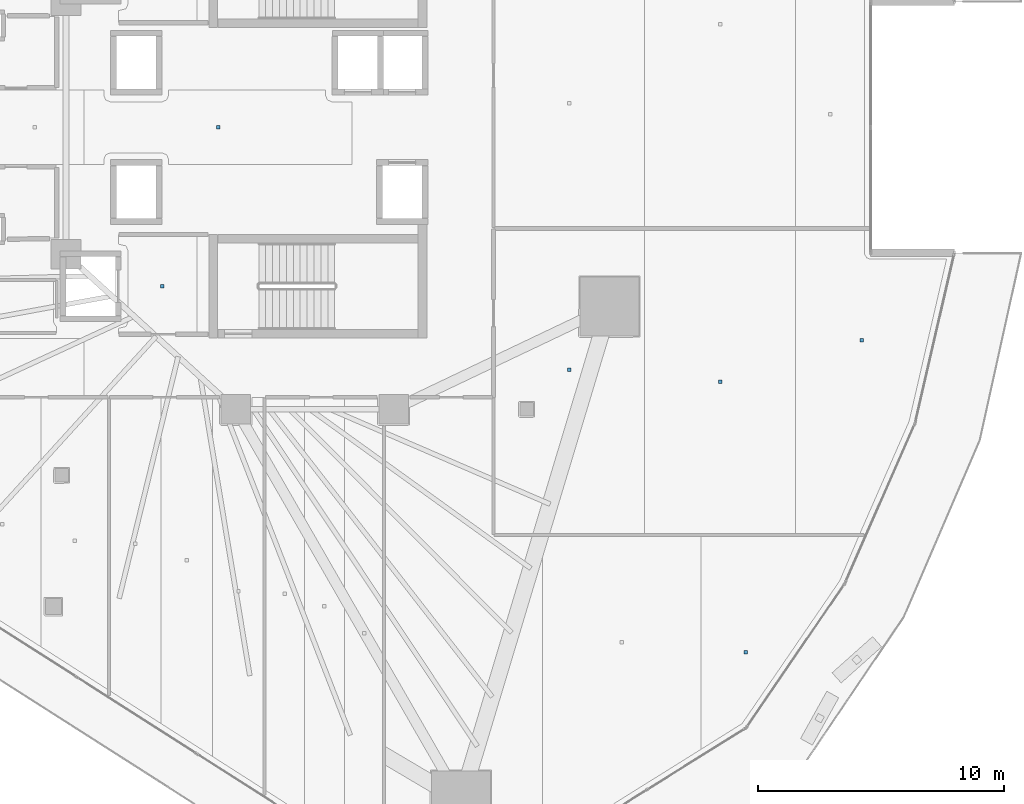
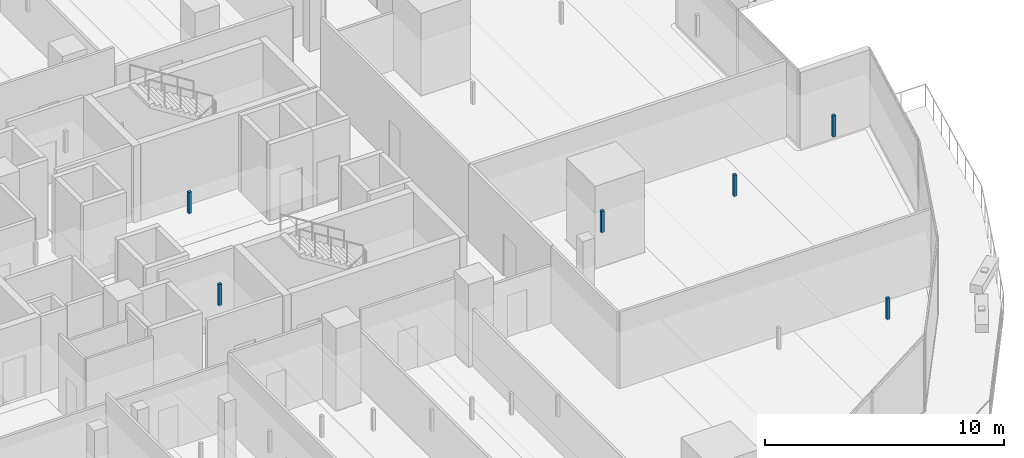
# One storey, part 33 of 45: 6 discrete accessories.
"""IFC4 building model written with IfcOpenShell, lengths in metres."""

from ifc_helpers import new_model, si_unit, direction, frame, origin, origin_2d, place, context, subcontext, project, spatial, rectangle, extrude, material, type_object, element, save


model = new_model("IFC4")

# Units and contexts
model_context = context("Model", 3, precision=1e-05, world=origin(), true_north=direction((0.0, 1.0)))
body_context = subcontext(model_context, "Body", "Model", "MODEL_VIEW")
ifc_project = project(units=[si_unit("LENGTHUNIT", "METRE"), si_unit("AREAUNIT", "SQUARE_METRE"), si_unit("VOLUMEUNIT", "CUBIC_METRE"), si_unit("PLANEANGLEUNIT", "RADIAN"), si_unit("MASSUNIT", "GRAM", prefix="KILO")], contexts=[model_context])

# Site, building, storey
site_placement = place(None, origin())
site = spatial("IfcSite", under=ifc_project, at=site_placement, CompositionType="ELEMENT")
building_placement = place(site_placement, origin())
building = spatial("IfcBuilding", under=site, at=building_placement, Name="Qorvath Tower", CompositionType="ELEMENT")
storey_placement = place(building_placement, frame((0.0, 0.0, 91.199951171875)))
storey = spatial("IfcBuildingStorey", under=building, at=storey_placement, Name="L20", CompositionType="ELEMENT", Elevation=91.199951171875)

# Discrete accessories
ifc_material = material(Name="Galvanised steel bracket", Category="steel")
discrete_accessory_type = type_object("IfcDiscreteAccessoryType", Name="DA-BRACKET", PredefinedType="BRACKET", material=ifc_material)
for number, where, z_axis, x_axis, name in (
    (1, (-26.590087890625, -6.449951171875, 2.85986328125), (0.0, 0.0, 1.0), (1.0, 0.0, 0.0), "Acoustic Ceiling Suspension Hanger T1-L20-002"),
    (2, (-24.324951171875, 0.0, 2.85986328125), (0.0, 0.0, 1.0), (1.0, 0.0, 0.0), "Acoustic Ceiling Suspension Hanger T1-L20-009"),
    (3, (-2.893798828125, -21.306640625, 2.85986328125), (0.0, 0.0, 1.0), (1.0, 0.0, 0.0), "Acoustic Ceiling Suspension Hanger T1-L20-028"),
    (4, (-10.072509765625, -9.83447265625, 2.85986328125), (0.0, 0.0, 1.0), (1.0, 0.0, 0.0), "Acoustic Ceiling Suspension Hanger T1-L20-029"),
    (5, (-3.943359375, -10.3212890625, 2.85986328125), (0.0, 0.0, 1.0), (1.0, 0.0, 0.0), "Acoustic Ceiling Suspension Hanger T1-L20-030"),
    (6, (1.8056640625, -8.643798828125, 2.85986328125), (0.0, 0.0, 1.0), (1.0, 0.0, 0.0), "Acoustic Ceiling Suspension Hanger T1-L20-031"),
):
    element("IfcDiscreteAccessory", number, at=place(storey_placement, frame(where, z_axis=z_axis, x_axis=x_axis)), inside=storey, type_object=discrete_accessory_type, Name=name, PredefinedType="NOTDEFINED", context=body_context, shape_type="SweptSolid", body=[
        extrude(rectangle(XDim=0.139892578125, YDim=0.139892578125, at=origin_2d()), origin(), (0.0, 0.0, 1.0), 1.090087890625),
    ])

save(model, "model.ifc")
